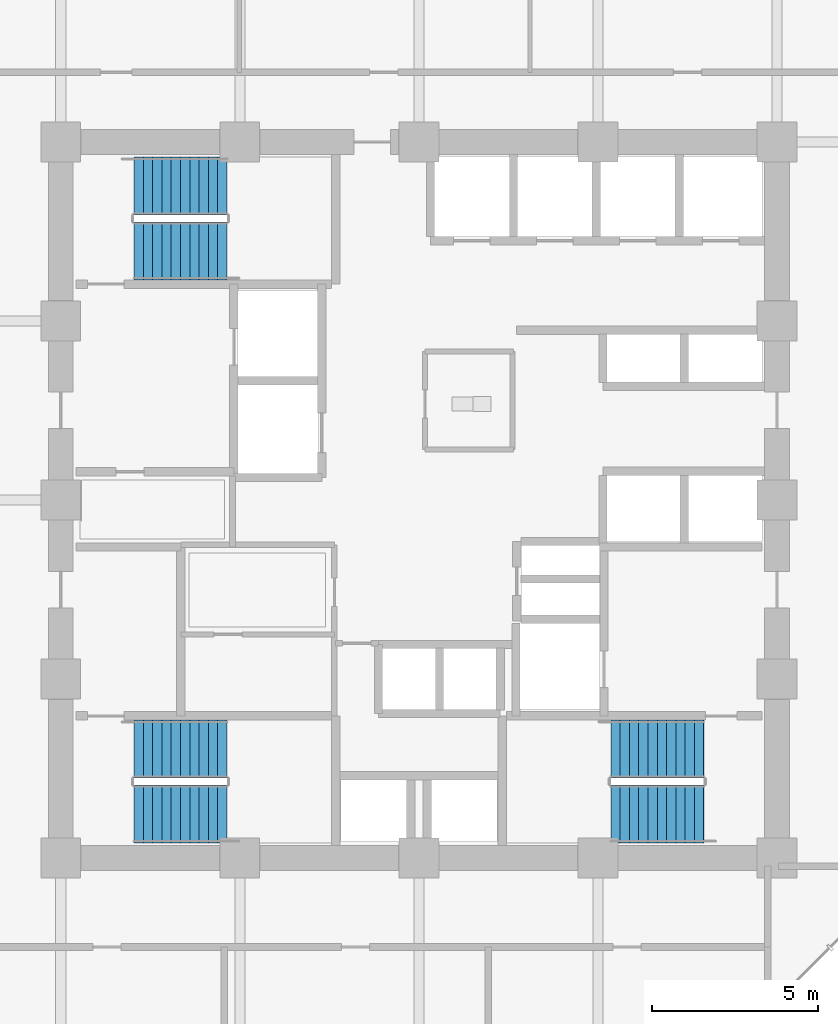
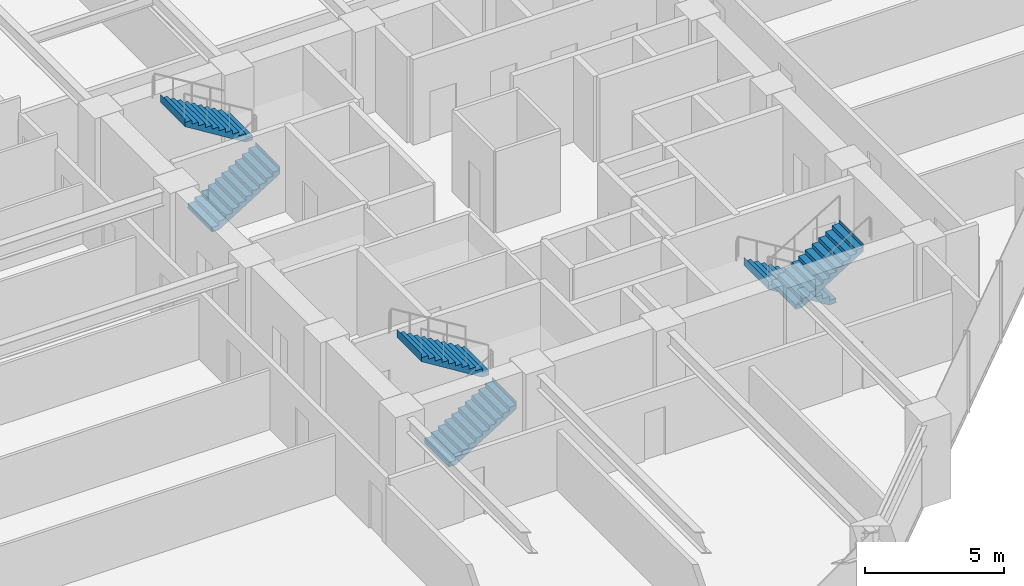
# One storey, part 24 of 28: 6 stair flights, 3 elements without a shape of their own.
"""IFC4 building model written with IfcOpenShell, lengths in metres."""

from ifc_helpers import new_model, si_unit, direction, frame, origin, place, context, subcontext, project, spatial, polyline, outline, extrude, material, type_object, element, aggregate, save


model = new_model("IFC4")

# Units and contexts
model_context = context("Model", 3, precision=1e-05, world=origin(), true_north=direction((0.0, 1.0)))
body_context = subcontext(model_context, "Body", "Model", "MODEL_VIEW")
ifc_project = project(units=[si_unit("LENGTHUNIT", "METRE"), si_unit("AREAUNIT", "SQUARE_METRE"), si_unit("VOLUMEUNIT", "CUBIC_METRE"), si_unit("PLANEANGLEUNIT", "RADIAN"), si_unit("MASSUNIT", "GRAM", prefix="KILO")], contexts=[model_context])

# Site, building, storey
site_placement = place(None, origin())
site = spatial("IfcSite", under=ifc_project, at=site_placement, CompositionType="ELEMENT")
building_placement = place(site_placement, origin())
building = spatial("IfcBuilding", under=site, at=building_placement, Name="Surkhivell Harbour Commons", CompositionType="ELEMENT")
storey_placement = place(building_placement, frame((0.0, 0.0, 67.5)))
storey = spatial("IfcBuildingStorey", under=building, at=storey_placement, Name="L17", CompositionType="ELEMENT", Elevation=67.5)

# Stair, stair flights
ifc_material = material(Name="Precast concrete C45/55", Category="concrete")
stair_type = type_object("IfcStairType", Name="STR-DL-375", PredefinedType="HALF_TURN_STAIR", material=ifc_material)
stair_1_placement = place(storey_placement, origin())
stair_1 = element("IfcStair", 1, at=stair_1_placement, inside=storey, type_object=stair_type, Name="L17 Core Exit Stair ST1", PredefinedType="HALF_TURN_STAIR")
stair_flight_type = type_object("IfcStairFlightType", Name="STF-DL-375", PredefinedType="STRAIGHT", material=ifc_material)
stair_flight_1_placement = place(storey_placement, frame((-8.590087890625, 7.514892578125, 0.0), z_axis=(0.0, 0.0, 1.0), x_axis=(1.0, 0.0, 0.0)))
stair_flight_1 = element("IfcStairFlight", 2, at=stair_flight_1_placement, type_object=stair_flight_type, Name="ST1 flight 1", NumberOfRisers=11, NumberOfTreads=10, PredefinedType="STRAIGHT", RiserHeight=0.170454545, TreadLength=0.28, context=body_context, shape_type="SweptSolid", body=[
    extrude(outline(polyline([(-0.0029296875, -0.034912109375), (-0.0029296875, 0.0), (0.0, 0.0), (0.0, 0.17041015625), (0.280029296875, 0.17041015625), (0.280029296875, 0.3408203125), (0.56005859375, 0.3408203125), (0.56005859375, 0.511474609375), (0.840087890625, 0.511474609375), (0.840087890625, 0.681884765625), (1.1201171875, 0.681884765625), (1.1201171875, 0.852294921875), (1.39990234375, 0.852294921875), (1.39990234375, 1.022705078125), (1.679931640625, 1.022705078125), (1.679931640625, 1.193115234375), (1.9599609375, 1.193115234375), (1.9599609375, 1.363525390625), (2.239990234375, 1.363525390625), (2.239990234375, 1.5341796875), (2.52001953125, 1.5341796875), (2.52001953125, 1.70458984375), (2.800048828125, 1.70458984375), (2.800048828125, 1.875), (2.802978515625, 1.875), (2.802978515625, 1.529052734375), (0.288330078125, -0.034912109375), (-0.0029296875, -0.034912109375)])), frame((0.0, 0.875, 0.0), z_axis=(0.0, -1.0, 0.0), x_axis=(1.0, 0.0, 0.0)), (0.0, 0.0, 1.0), 1.75),
])
stair_flight_2_placement = place(storey_placement, frame((-5.7900390625, 9.465087890625, 1.875), z_axis=(0.0, 0.0, 1.0), x_axis=(-1.0, 0.0, 0.0)))
stair_flight_2 = element("IfcStairFlight", 3, at=stair_flight_2_placement, type_object=stair_flight_type, Name="ST1 flight 2", NumberOfRisers=11, NumberOfTreads=10, PredefinedType="STRAIGHT", RiserHeight=0.170454545, TreadLength=0.28, context=body_context, shape_type="SweptSolid", body=[
    extrude(outline(polyline([(-0.0029296875, -0.034912109375), (-0.0029296875, 0.0), (0.0, 0.0), (0.0, 0.17041015625), (0.280029296875, 0.17041015625), (0.280029296875, 0.3408203125), (0.56005859375, 0.3408203125), (0.56005859375, 0.511474609375), (0.840087890625, 0.511474609375), (0.840087890625, 0.681884765625), (1.1201171875, 0.681884765625), (1.1201171875, 0.852294921875), (1.39990234375, 0.852294921875), (1.39990234375, 1.022705078125), (1.679931640625, 1.022705078125), (1.679931640625, 1.193115234375), (1.9599609375, 1.193115234375), (1.9599609375, 1.363525390625), (2.239990234375, 1.363525390625), (2.239990234375, 1.5341796875), (2.52001953125, 1.5341796875), (2.52001953125, 1.70458984375), (2.800048828125, 1.70458984375), (2.800048828125, 1.875), (2.802978515625, 1.875), (2.802978515625, 1.529052734375), (0.288330078125, -0.034912109375), (-0.0029296875, -0.034912109375)])), frame((0.0, 0.875, 0.0), z_axis=(0.0, -1.0, 0.0), x_axis=(1.0, 0.0, 0.0)), (0.0, 0.0, 1.0), 1.75),
])
aggregate(stair_1, [stair_flight_1, stair_flight_2])

stair_2_placement = place(storey_placement, origin())
stair_2 = element("IfcStair", 4, at=stair_2_placement, inside=storey, type_object=stair_type, Name="L17 Core Exit Stair ST2", PredefinedType="HALF_TURN_STAIR")
stair_flight_3_placement = place(storey_placement, frame((8.590087890625, -7.514892578125, 0.0), z_axis=(0.0, 0.0, 1.0), x_axis=(-1.0, 0.0, 0.0)))
stair_flight_3 = element("IfcStairFlight", 5, at=stair_flight_3_placement, type_object=stair_flight_type, Name="ST2 flight 1", NumberOfRisers=11, NumberOfTreads=10, PredefinedType="STRAIGHT", RiserHeight=0.170454545, TreadLength=0.28, context=body_context, shape_type="SweptSolid", body=[
    extrude(outline(polyline([(-0.0029296875, -0.034912109375), (-0.0029296875, 0.0), (0.0, 0.0), (0.0, 0.17041015625), (0.280029296875, 0.17041015625), (0.280029296875, 0.3408203125), (0.56005859375, 0.3408203125), (0.56005859375, 0.511474609375), (0.840087890625, 0.511474609375), (0.840087890625, 0.681884765625), (1.1201171875, 0.681884765625), (1.1201171875, 0.852294921875), (1.39990234375, 0.852294921875), (1.39990234375, 1.022705078125), (1.679931640625, 1.022705078125), (1.679931640625, 1.193115234375), (1.9599609375, 1.193115234375), (1.9599609375, 1.363525390625), (2.239990234375, 1.363525390625), (2.239990234375, 1.5341796875), (2.52001953125, 1.5341796875), (2.52001953125, 1.70458984375), (2.800048828125, 1.70458984375), (2.800048828125, 1.875), (2.802978515625, 1.875), (2.802978515625, 1.529052734375), (0.288330078125, -0.034912109375), (-0.0029296875, -0.034912109375)])), frame((0.0, 0.875, 0.0), z_axis=(0.0, -1.0, 0.0), x_axis=(1.0, 0.0, 0.0)), (0.0, 0.0, 1.0), 1.75),
])
stair_flight_4_placement = place(storey_placement, frame((5.7900390625, -9.465087890625, 1.875), z_axis=(0.0, 0.0, 1.0), x_axis=(1.0, 0.0, 0.0)))
stair_flight_4 = element("IfcStairFlight", 6, at=stair_flight_4_placement, type_object=stair_flight_type, Name="ST2 flight 2", NumberOfRisers=11, NumberOfTreads=10, PredefinedType="STRAIGHT", RiserHeight=0.170454545, TreadLength=0.28, context=body_context, shape_type="SweptSolid", body=[
    extrude(outline(polyline([(-0.0029296875, -0.034912109375), (-0.0029296875, 0.0), (0.0, 0.0), (0.0, 0.17041015625), (0.280029296875, 0.17041015625), (0.280029296875, 0.3408203125), (0.56005859375, 0.3408203125), (0.56005859375, 0.511474609375), (0.840087890625, 0.511474609375), (0.840087890625, 0.681884765625), (1.1201171875, 0.681884765625), (1.1201171875, 0.852294921875), (1.39990234375, 0.852294921875), (1.39990234375, 1.022705078125), (1.679931640625, 1.022705078125), (1.679931640625, 1.193115234375), (1.9599609375, 1.193115234375), (1.9599609375, 1.363525390625), (2.239990234375, 1.363525390625), (2.239990234375, 1.5341796875), (2.52001953125, 1.5341796875), (2.52001953125, 1.70458984375), (2.800048828125, 1.70458984375), (2.800048828125, 1.875), (2.802978515625, 1.875), (2.802978515625, 1.529052734375), (0.288330078125, -0.034912109375), (-0.0029296875, -0.034912109375)])), frame((0.0, 0.875, 0.0), z_axis=(0.0, -1.0, 0.0), x_axis=(1.0, 0.0, 0.0)), (0.0, 0.0, 1.0), 1.75),
])
aggregate(stair_2, [stair_flight_3, stair_flight_4])

stair_3_placement = place(storey_placement, origin())
stair_3 = element("IfcStair", 7, at=stair_3_placement, inside=storey, type_object=stair_type, Name="L17 Core Exit Stair ST3", PredefinedType="HALF_TURN_STAIR")
stair_flight_5_placement = place(storey_placement, frame((-8.590087890625, -9.465087890625, 0.0), z_axis=(0.0, 0.0, 1.0), x_axis=(1.0, 0.0, 0.0)))
stair_flight_5 = element("IfcStairFlight", 8, at=stair_flight_5_placement, type_object=stair_flight_type, Name="ST3 flight 1", NumberOfRisers=11, NumberOfTreads=10, PredefinedType="STRAIGHT", RiserHeight=0.170454545, TreadLength=0.28, context=body_context, shape_type="SweptSolid", body=[
    extrude(outline(polyline([(-0.0029296875, -0.034912109375), (-0.0029296875, 0.0), (0.0, 0.0), (0.0, 0.17041015625), (0.280029296875, 0.17041015625), (0.280029296875, 0.3408203125), (0.56005859375, 0.3408203125), (0.56005859375, 0.511474609375), (0.840087890625, 0.511474609375), (0.840087890625, 0.681884765625), (1.1201171875, 0.681884765625), (1.1201171875, 0.852294921875), (1.39990234375, 0.852294921875), (1.39990234375, 1.022705078125), (1.679931640625, 1.022705078125), (1.679931640625, 1.193115234375), (1.9599609375, 1.193115234375), (1.9599609375, 1.363525390625), (2.239990234375, 1.363525390625), (2.239990234375, 1.5341796875), (2.52001953125, 1.5341796875), (2.52001953125, 1.70458984375), (2.800048828125, 1.70458984375), (2.800048828125, 1.875), (2.802978515625, 1.875), (2.802978515625, 1.529052734375), (0.288330078125, -0.034912109375), (-0.0029296875, -0.034912109375)])), frame((0.0, 0.875, 0.0), z_axis=(0.0, -1.0, 0.0), x_axis=(1.0, 0.0, 0.0)), (0.0, 0.0, 1.0), 1.75),
])
stair_flight_6_placement = place(storey_placement, frame((-5.7900390625, -7.514892578125, 1.875), z_axis=(0.0, 0.0, 1.0), x_axis=(-1.0, 0.0, 0.0)))
stair_flight_6 = element("IfcStairFlight", 9, at=stair_flight_6_placement, type_object=stair_flight_type, Name="ST3 flight 2", NumberOfRisers=11, NumberOfTreads=10, PredefinedType="STRAIGHT", RiserHeight=0.170454545, TreadLength=0.28, context=body_context, shape_type="SweptSolid", body=[
    extrude(outline(polyline([(-0.0029296875, -0.034912109375), (-0.0029296875, 0.0), (0.0, 0.0), (0.0, 0.17041015625), (0.280029296875, 0.17041015625), (0.280029296875, 0.3408203125), (0.56005859375, 0.3408203125), (0.56005859375, 0.511474609375), (0.840087890625, 0.511474609375), (0.840087890625, 0.681884765625), (1.1201171875, 0.681884765625), (1.1201171875, 0.852294921875), (1.39990234375, 0.852294921875), (1.39990234375, 1.022705078125), (1.679931640625, 1.022705078125), (1.679931640625, 1.193115234375), (1.9599609375, 1.193115234375), (1.9599609375, 1.363525390625), (2.239990234375, 1.363525390625), (2.239990234375, 1.5341796875), (2.52001953125, 1.5341796875), (2.52001953125, 1.70458984375), (2.800048828125, 1.70458984375), (2.800048828125, 1.875), (2.802978515625, 1.875), (2.802978515625, 1.529052734375), (0.288330078125, -0.034912109375), (-0.0029296875, -0.034912109375)])), frame((0.0, 0.875, 0.0), z_axis=(0.0, -1.0, 0.0), x_axis=(1.0, 0.0, 0.0)), (0.0, 0.0, 1.0), 1.75),
])
aggregate(stair_3, [stair_flight_5, stair_flight_6])

save(model, "model.ifc")
